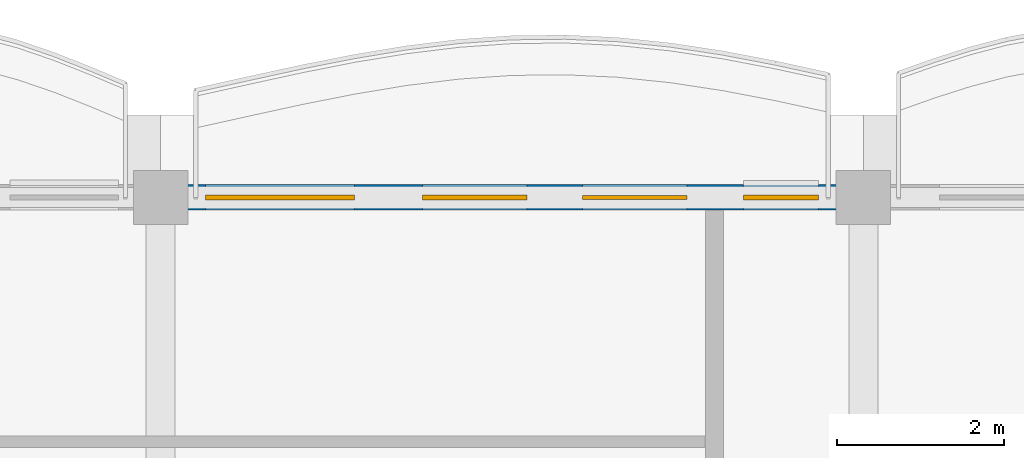
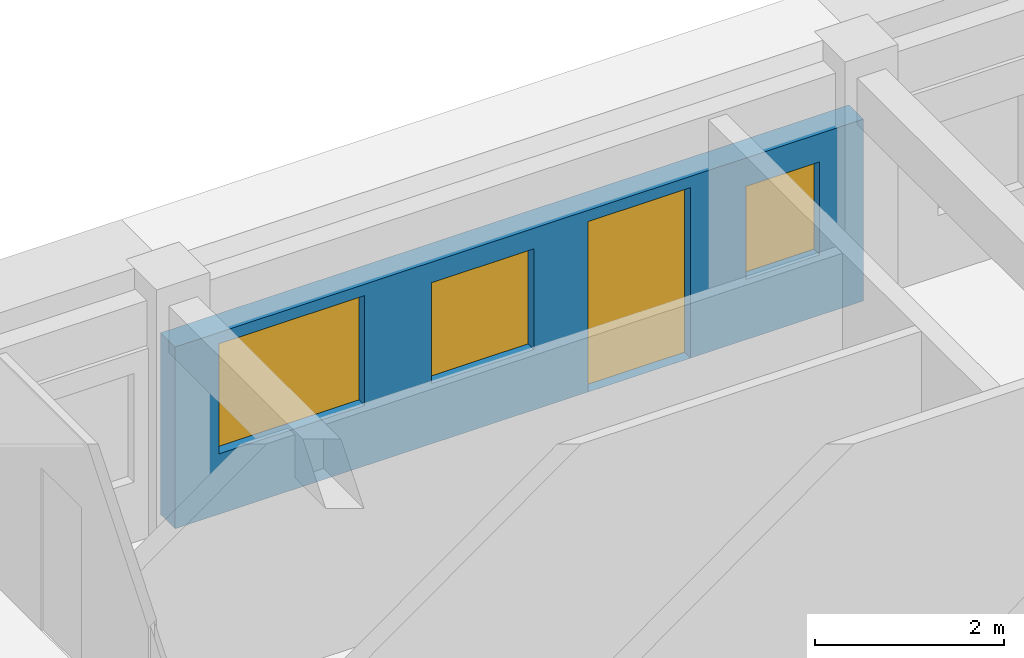
# One storey, part 28 of 66: 3 windows, 1 door, 1 wall, 4 openings.
"""IFC4 building model written with IfcOpenShell, lengths in metres."""

import ifcopenshell
import ifcopenshell.guid

model = None  # the IFC model being written
_history = None  # IfcOwnerHistory: only IFC2X3 demands one
_inside = {}  # id of a spatial element -> (the spatial element, [elements in it])
_under = {}  # id of a project, library or spatial element -> (it, [spatial elements below it])
_declared = {}  # id of a project -> (the project, [libraries it declares])
_typed = {}  # id of a type object -> (the type object, [elements of that type])
_made_of = {}  # id of a material, layer set ... -> (it, [elements and type objects made of it])


def new_model(schema):
    """Start an empty IFC model of exactly this schema.

    Asked for "IFC4X3", IfcOpenShell would pick the latest addendum, in which some entities
    have other attributes; the version numbers below select the first issue.
    IFC2X3 requires an IfcOwnerHistory on every rooted entity: one is made here for all.
    """
    global model, _history
    if schema == "IFC4X3":
        model = ifcopenshell.file(schema_version=(4, 3, 0, 0))
    else:
        model = ifcopenshell.file(schema=schema)
    _inside.clear()
    _under.clear()
    _declared.clear()
    _typed.clear()
    _made_of.clear()
    _history = None
    if model.schema == "IFC2X3":
        org = make("IfcOrganization", Name="unknown")
        user = make(
            "IfcPersonAndOrganization",
            ThePerson=make("IfcPerson", FamilyName="unknown"),
            TheOrganization=org,
        )
        app = make(
            "IfcApplication",
            ApplicationDeveloper=org,
            Version="unknown",
            ApplicationFullName="unknown",
            ApplicationIdentifier="unknown",
        )
        _history = make(
            "IfcOwnerHistory",
            OwningUser=user,
            OwningApplication=app,
            ChangeAction="ADDED",
            CreationDate=0,
        )
    return model


def make(cls, **values):
    """One entity of the class cls with the attributes given. An attribute that is None is left unset."""
    return model.create_entity(
        cls, **{name: value for name, value in values.items() if value is not None}
    )


def rooted(cls, **values):
    """An entity with a GlobalId (a new one), such as an element, a storey or a relation."""
    return make(cls, GlobalId=ifcopenshell.guid.new(), OwnerHistory=_history, **values)


def si_unit(unit_type, name, prefix=None):
    """IfcSIUnit, for example si_unit("LENGTHUNIT", "METRE", prefix="MILLI")."""
    return make("IfcSIUnit", UnitType=unit_type, Prefix=prefix, Name=name)


def assignment(units):
    """IfcUnitAssignment: the units of a project."""
    return None if units is None else make("IfcUnitAssignment", Units=units)


def point(xyz):
    """IfcCartesianPoint."""
    return None if xyz is None else make("IfcCartesianPoint", Coordinates=xyz)


def direction(xyz):
    """IfcDirection."""
    return None if xyz is None else make("IfcDirection", DirectionRatios=xyz)


def frame(location, z_axis=None, x_axis=None):
    """IfcAxis2Placement3D, a coordinate frame: its origin and axes. An axis left out is left unset."""
    return make(
        "IfcAxis2Placement3D",
        Location=point(location),
        Axis=direction(z_axis),
        RefDirection=direction(x_axis),
    )


def frame_2d(location, x_axis=None):
    """IfcAxis2Placement2D, a coordinate frame in the plane: its origin and x axis."""
    return make(
        "IfcAxis2Placement2D", Location=point(location), RefDirection=direction(x_axis)
    )


def origin():
    """The frame at (0, 0, 0) with its axes left unset."""
    return frame((0.0, 0.0, 0.0))


def place(relative_to, where):
    """IfcLocalPlacement: puts the frame where relative to a parent placement (None: the world)."""
    return make(
        "IfcLocalPlacement", PlacementRelTo=relative_to, RelativePlacement=where
    )


def context(
    kind, dimensions, precision=None, world=None, true_north=None, identifier=None
):
    """IfcGeometricRepresentationContext, for example the 3D "Model" context."""
    return make(
        "IfcGeometricRepresentationContext",
        ContextIdentifier=identifier,
        ContextType=kind,
        CoordinateSpaceDimension=dimensions,
        Precision=precision,
        WorldCoordinateSystem=world,
        TrueNorth=true_north,
    )


def subcontext(parent, identifier, kind, view, scale=None):
    """IfcGeometricRepresentationSubContext, for example "Body" below "Model"."""
    return make(
        "IfcGeometricRepresentationSubContext",
        ContextIdentifier=identifier,
        ContextType=kind,
        ParentContext=parent,
        TargetScale=scale,
        TargetView=view,
    )


def project(units=None, contexts=None):
    """IfcProject with its units and contexts."""
    return rooted(
        "IfcProject",
        Name="project",
        RepresentationContexts=contexts,
        UnitsInContext=assignment(units),
    )


def spatial(cls, under=None, at=None, **own):
    """A site, building, storey or space (cls), placed at a placement, below another one or the project."""
    s = rooted(cls, ObjectPlacement=at, **own)
    if under is not None:
        _under.setdefault(under.id(), (under, []))[1].append(s)
    return s


def profile(cls, at=None, kind="AREA", **sizes):
    """A parametric profile (cls). Its sizes go by their IFC names, for example OverallWidth=200.0."""
    return make(cls, ProfileType=kind, Position=at, **sizes)


def rectangle(**sizes):
    """IfcRectangleProfileDef."""
    return profile("IfcRectangleProfileDef", **sizes)


def extrude(swept, where, along, depth):
    """IfcExtrudedAreaSolid: the profile swept, set in the frame where, extruded along a direction by depth."""
    return make(
        "IfcExtrudedAreaSolid",
        SweptArea=swept,
        Position=where,
        ExtrudedDirection=direction(along),
        Depth=depth,
    )


def shape(context_of_items, identifier, shape_type, items):
    """IfcShapeRepresentation: the items that make up one representation, for example the "Body"."""
    return make(
        "IfcShapeRepresentation",
        ContextOfItems=context_of_items,
        RepresentationIdentifier=identifier,
        RepresentationType=shape_type,
        Items=items,
    )


def material(Name=None, Category=None):
    """IfcMaterial."""
    return make("IfcMaterial", Name=Name, Category=Category)


def layer(
    of_material, thickness, ventilated=None, Name=None, Category=None, Priority=None
):
    """IfcMaterialLayer: one layer of a wall or slab, of a material (None: an air gap)."""
    return make(
        "IfcMaterialLayer",
        Material=of_material,
        LayerThickness=thickness,
        IsVentilated=ventilated,
        Name=Name,
        Category=Category,
        Priority=Priority,
    )


def layer_set(layers, Name=None):
    """IfcMaterialLayerSet."""
    return make("IfcMaterialLayerSet", MaterialLayers=layers, LayerSetName=Name)


def made_of(thing, what):
    """Note that an element or type object is made of a material, layer set ...; save() writes the relation."""
    if what is not None:
        _made_of.setdefault(what.id(), (what, []))[1].append(thing)
    return thing


def type_object(cls, material=None, **own):
    """A type object (cls), such as IfcWallType, which elements share."""
    return made_of(rooted(cls, **own), material)


def element(
    cls,
    number,
    at=None,
    inside=None,
    cuts=None,
    type_object=None,
    material=None,
    context=None,
    identifier="Body",
    shape_type=None,
    held_by="IfcProductDefinitionShape",
    body=None,
    shapes=None,
    **own,
):
    """One element of the class cls, such as IfcWall. Its Tag is "e" and its number.

    at: its placement. inside: the storey or other place that contains it. cuts: it is an
    opening in that element (IfcRelVoidsElement). A single representation is given by context,
    identifier, shape_type and body (its items); several are given by shapes. held_by: the class
    of the entity that holds the representations. save() writes the other relations.
    """
    e = rooted(cls, Tag="e%d" % number, ObjectPlacement=at, **own)
    if body is not None:
        shapes = [shape(context, identifier, shape_type, body)]
    if shapes is not None:
        e.Representation = make(held_by, Representations=shapes)
    if inside is not None:
        _inside.setdefault(inside.id(), (inside, []))[1].append(e)
    if cuts is not None:
        rooted(
            "IfcRelVoidsElement", RelatingBuildingElement=cuts, RelatedOpeningElement=e
        )
    if type_object is not None:
        _typed.setdefault(type_object.id(), (type_object, []))[1].append(e)
    return made_of(e, material)


def fill(opening, filler):
    """IfcRelFillsElement: the door or window that sits in an opening."""
    return rooted(
        "IfcRelFillsElement",
        RelatingOpeningElement=opening,
        RelatedBuildingElement=filler,
    )


def aggregate(whole, parts):
    """IfcRelAggregates: a whole, such as a stair, and the parts it consists of."""
    return rooted("IfcRelAggregates", RelatingObject=whole, RelatedObjects=parts)


def save(model, path):
    """Write the relations noted so far, then the file.

    IfcRelAggregates (storeys below a building ...), IfcRelContainedInSpatialStructure (elements
    in a storey), IfcRelDefinesByType, IfcRelAssociatesMaterial and IfcRelDeclares: one each for
    every whole, place, type object, material and project.
    """
    for whole, parts in _under.values():
        aggregate(whole, parts)
    for where, things in _inside.values():
        rooted(
            "IfcRelContainedInSpatialStructure",
            RelatedElements=things,
            RelatingStructure=where,
        )
    for kind, things in _typed.values():
        rooted("IfcRelDefinesByType", RelatedObjects=things, RelatingType=kind)
    for what, things in _made_of.values():
        rooted("IfcRelAssociatesMaterial", RelatedObjects=things, RelatingMaterial=what)
    for by, libraries in _declared.values():
        rooted("IfcRelDeclares", RelatingContext=by, RelatedDefinitions=libraries)
    model.write(path)


model = new_model("IFC4")

# Units and contexts
model_context = context("Model", 3, precision=1e-05, world=origin(), true_north=direction((0.0, 1.0)))
body_context = subcontext(model_context, "Body", "Model", "MODEL_VIEW")
ifc_project = project(units=[si_unit("LENGTHUNIT", "METRE"), si_unit("AREAUNIT", "SQUARE_METRE"), si_unit("VOLUMEUNIT", "CUBIC_METRE"), si_unit("PLANEANGLEUNIT", "RADIAN"), si_unit("MASSUNIT", "GRAM", prefix="KILO"), si_unit("THERMODYNAMICTEMPERATUREUNIT", "KELVIN")], contexts=[model_context])

# Site, building, storey
site_placement = place(None, origin())
site = spatial("IfcSite", under=ifc_project, at=site_placement, CompositionType="ELEMENT")
building_placement = place(site_placement, origin())
building = spatial("IfcBuilding", under=site, at=building_placement, Name="Thalorik Housing Commons", CompositionType="ELEMENT")
storey_placement = place(building_placement, frame((0.0, 0.0, 21.300048828125)))
storey = spatial("IfcBuildingStorey", under=building, at=storey_placement, Name="L06", CompositionType="ELEMENT", Elevation=21.300048828125)

# Wall, openings, door, windows
ifc_material_1 = material(Name="White precast concrete C40/50", Category="concrete")
ifc_layer = layer(ifc_material_1, 0.304931640625, Name="White precast concrete C40/50", Category="concrete")
ifc_layer_set = layer_set([ifc_layer], Name="White precast concrete C40/50")
wall_type = type_object("IfcWallType", Name="ARC-WAL-EXT-305", PredefinedType="STANDARD", material=ifc_layer_set)
wall_placement = place(storey_placement, frame((138.0, 123.60009765625, 0.0), z_axis=(0.0, 0.0, 1.0), x_axis=(-1.0, 0.0, 0.0)))
wall = element("IfcWall", 1, at=wall_placement, inside=storey, type_object=wall_type, Name="L06 Exterior Wall WAL-EXT-L06-B-0604", PredefinedType="STANDARD", context=body_context, shape_type="SweptSolid", body=[
    extrude(rectangle(XDim=8.39990234375, YDim=0.304931640625, at=frame_2d((4.199951171875, 0.0))), origin(), (0.0, 0.0, 1.0), 2.344970703125),
])
opening_1_placement = place(wall_placement, frame((2.110107421875, 0.0, 0.0)))
opening_1 = element("IfcOpeningElement", 2, at=opening_1_placement, cuts=wall, Name="Opening ED-0196", PredefinedType="OPENING", context=body_context, shape_type="SweptSolid", body=[
    extrude(rectangle(XDim=1.25, YDim=2.199951171875, at=frame_2d((0.625, 1.10009765625))), frame((0.0, 0.16259765625, 0.0), z_axis=(0.0, -1.0, 0.0), x_axis=(1.0, 0.0, 0.0)), (0.0, 0.0, 1.0), 0.324951171875),
])
opening_2_placement = place(wall_placement, frame((0.534912109375, 0.0, 0.780029296875)))
opening_2 = element("IfcOpeningElement", 3, at=opening_2_placement, cuts=wall, Name="Opening W-01", PredefinedType="OPENING", context=body_context, shape_type="SweptSolid", body=[
    extrude(rectangle(XDim=0.89990234375, YDim=1.199951171875, at=frame_2d((0.449951171875, 0.60009765625))), frame((0.0, 0.16259765625, 0.0), z_axis=(0.0, -1.0, 0.0), x_axis=(1.0, 0.0, 0.0)), (0.0, 0.0, 1.0), 0.324951171875),
])
opening_3_placement = place(wall_placement, frame((4.02001953125, 0.0, 0.780029296875)))
opening_3 = element("IfcOpeningElement", 4, at=opening_3_placement, cuts=wall, Name="Opening W-46", PredefinedType="OPENING", context=body_context, shape_type="SweptSolid", body=[
    extrude(rectangle(XDim=1.25, YDim=1.300048828125, at=frame_2d((0.625, 0.64990234375))), frame((0.0, 0.16259765625, 0.0), z_axis=(0.0, -1.0, 0.0), x_axis=(1.0, 0.0, 0.0)), (0.0, 0.0, 1.0), 0.324951171875),
])
opening_4_placement = place(wall_placement, frame((6.0849609375, 0.0, 0.780029296875)))
opening_4 = element("IfcOpeningElement", 5, at=opening_4_placement, cuts=wall, Name="Opening W-57", PredefinedType="OPENING", context=body_context, shape_type="SweptSolid", body=[
    extrude(rectangle(XDim=1.780029296875, YDim=1.419921875, at=frame_2d((0.89013671875, 0.7099609375))), frame((0.0, 0.16259765625, 0.0), z_axis=(0.0, -1.0, 0.0), x_axis=(1.0, 0.0, 0.0)), (0.0, 0.0, 1.0), 0.324951171875),
])
ifc_material_2 = material(Name="Anodised aluminium and laminated safety glass", Category="aluminium")
door_type = type_object("IfcDoorType", Name="ARC-DR-BAL-1250", OperationType="NOTDEFINED", PredefinedType="DOOR", material=ifc_material_2)
door_placement = place(opening_1_placement, frame((1.25, 0.0, 0.0), z_axis=(0.0, 0.0, 1.0), x_axis=(-1.0, 0.0, 0.0)))
door = element("IfcDoor", 6, at=door_placement, inside=storey, type_object=door_type, Name="L06 Block B Balcony Glazed Door", OperationType="SINGLE_SWING_LEFT", OverallHeight=2.199951171875, OverallWidth=1.25, PredefinedType="DOOR", context=body_context, shape_type="SweptSolid", body=[
    extrude(rectangle(XDim=1.25, YDim=2.199951171875, at=frame_2d((0.625, 1.10009765625))), frame((0.0, 0.02490234375, 0.0), z_axis=(0.0, -1.0, 0.0), x_axis=(1.0, 0.0, 0.0)), (0.0, 0.0, 1.0), 0.050048828125),
])
fill(opening_1, door)
ifc_material_3 = material(Name="Anodised aluminium and solar-control low-E glass", Category="aluminium")
window_type_1 = type_object("IfcWindowType", Name="ARC-WIN-01", PartitioningType="SINGLE_PANEL", PredefinedType="WINDOW", material=ifc_material_3)
window_1_placement = place(opening_2_placement, origin())
window_1 = element("IfcWindow", 7, at=window_1_placement, inside=storey, type_object=window_type_1, Name="L06 Facade Window 1093", OverallHeight=1.199951171875, OverallWidth=0.89990234375, PartitioningType="SINGLE_PANEL", PredefinedType="WINDOW", context=body_context, shape_type="SweptSolid", body=[
    extrude(rectangle(XDim=0.89990234375, YDim=1.199951171875, at=frame_2d((0.449951171875, 0.60009765625))), frame((0.0, 0.030029296875, 0.0), z_axis=(0.0, -1.0, 0.0), x_axis=(1.0, 0.0, 0.0)), (0.0, 0.0, 1.0), 0.06005859375),
])
fill(opening_2, window_1)
window_type_2 = type_object("IfcWindowType", Name="ARC-WIN-46", PartitioningType="SINGLE_PANEL", PredefinedType="WINDOW", material=ifc_material_3)
window_2_placement = place(opening_3_placement, origin())
window_2 = element("IfcWindow", 8, at=window_2_placement, inside=storey, type_object=window_type_2, Name="L06 Facade Window 1094", OverallHeight=1.300048828125, OverallWidth=1.25, PartitioningType="SINGLE_PANEL", PredefinedType="WINDOW", context=body_context, shape_type="SweptSolid", body=[
    extrude(rectangle(XDim=1.25, YDim=1.300048828125, at=frame_2d((0.625, 0.64990234375))), frame((0.0, 0.030029296875, 0.0), z_axis=(0.0, -1.0, 0.0), x_axis=(1.0, 0.0, 0.0)), (0.0, 0.0, 1.0), 0.06005859375),
])
fill(opening_3, window_2)
window_type_3 = type_object("IfcWindowType", Name="ARC-WIN-57", PartitioningType="DOUBLE_PANEL_VERTICAL", PredefinedType="WINDOW", material=ifc_material_3)
window_3_placement = place(opening_4_placement, origin())
window_3 = element("IfcWindow", 9, at=window_3_placement, inside=storey, type_object=window_type_3, Name="L06 Facade Window 1095", OverallHeight=1.419921875, OverallWidth=1.780029296875, PartitioningType="DOUBLE_PANEL_VERTICAL", PredefinedType="WINDOW", context=body_context, shape_type="SweptSolid", body=[
    extrude(rectangle(XDim=1.780029296875, YDim=1.419921875, at=frame_2d((0.89013671875, 0.7099609375))), frame((0.0, 0.030029296875, 0.0), z_axis=(0.0, -1.0, 0.0), x_axis=(1.0, 0.0, 0.0)), (0.0, 0.0, 1.0), 0.06005859375),
])
fill(opening_4, window_3)

save(model, "model.ifc")
